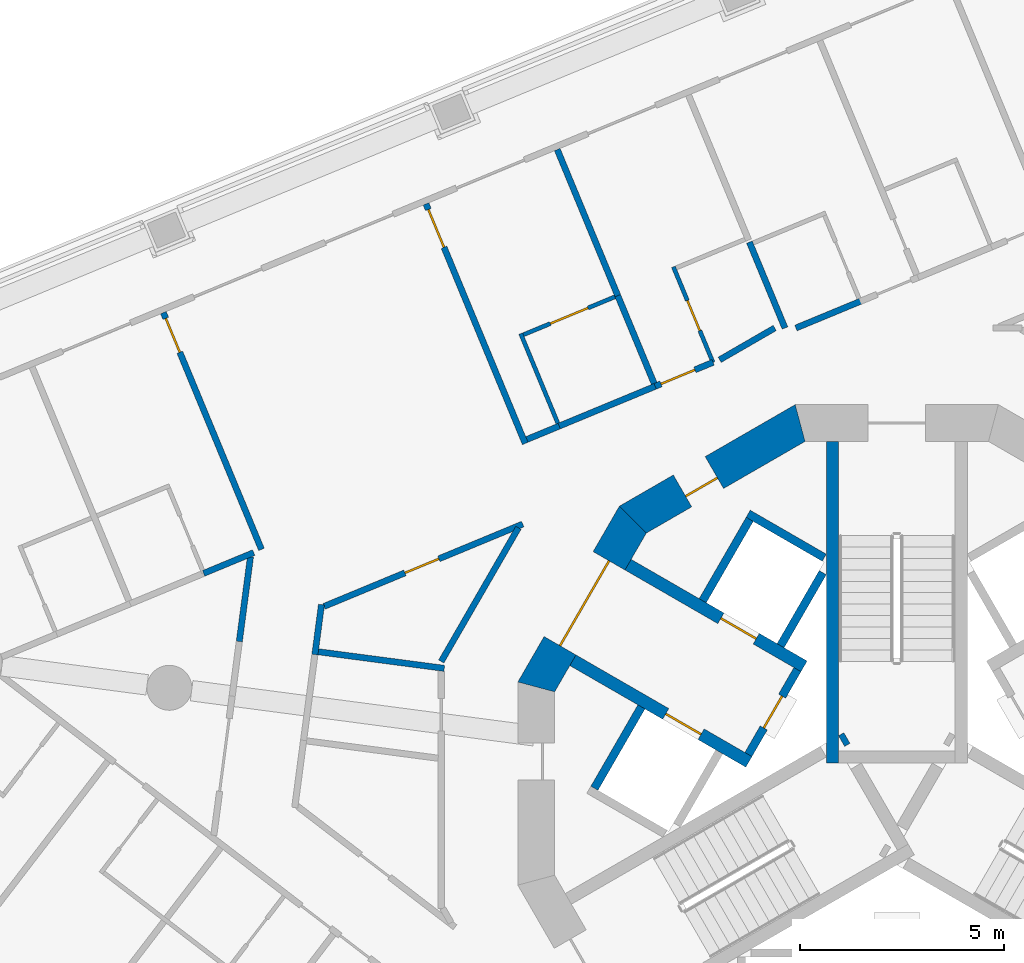
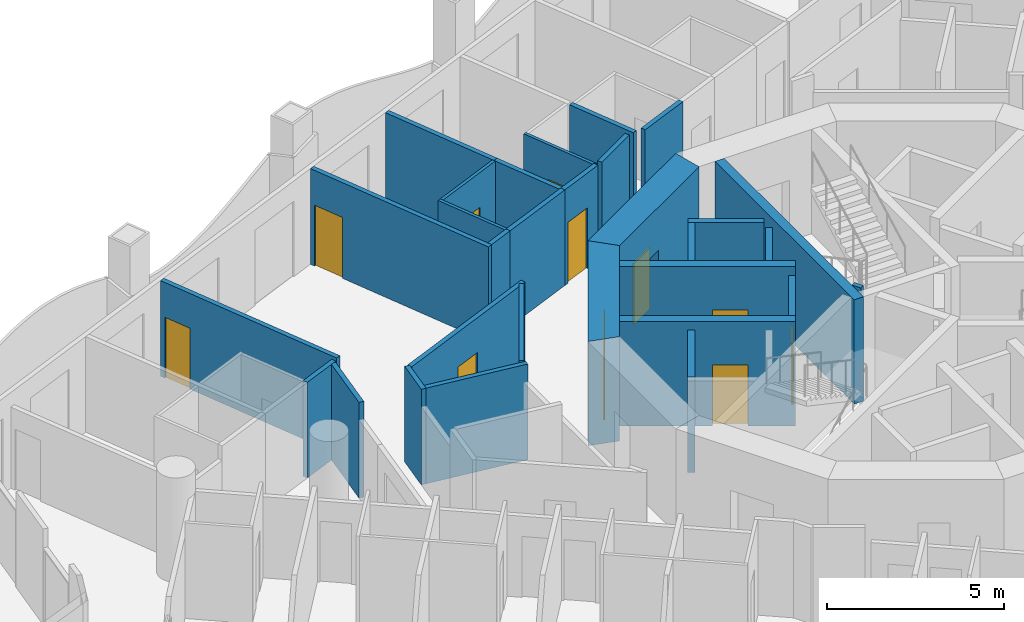
# One storey, part 7 of 17: 30 walls, 11 doors, 11 openings.
"""IFC4 building model written with IfcOpenShell, lengths in metres."""

from ifc_helpers import new_model, si_unit, direction, frame, frame_2d, origin, place, context, subcontext, project, spatial, polyline, rectangle, outline, extrude, material, layer, layer_set, type_object, element, fill, save


model = new_model("IFC4")

# Units and contexts
model_context = context("Model", 3, precision=1e-05, world=origin(), true_north=direction((0.0, 1.0)))
body_context = subcontext(model_context, "Body", "Model", "MODEL_VIEW")
ifc_project = project(units=[si_unit("LENGTHUNIT", "METRE"), si_unit("AREAUNIT", "SQUARE_METRE"), si_unit("VOLUMEUNIT", "CUBIC_METRE"), si_unit("PLANEANGLEUNIT", "RADIAN"), si_unit("MASSUNIT", "GRAM", prefix="KILO")], contexts=[model_context])

# Site, building, storey
site_placement = place(None, origin())
site = spatial("IfcSite", under=ifc_project, at=site_placement, CompositionType="ELEMENT")
building_placement = place(site_placement, origin())
building = spatial("IfcBuilding", under=site, at=building_placement, Name="Trine Commons Tower", CompositionType="ELEMENT")
storey_placement = place(building_placement, frame((0.0, 0.0, 135.0)))
storey = spatial("IfcBuildingStorey", under=building, at=storey_placement, Name="L34", CompositionType="ELEMENT", Elevation=135.0)

# Wall, opening, door
ifc_material_1 = material(Name="Fire-rated gypsum shaft wall system")
ifc_layer_1 = layer(ifc_material_1, 0.199951171875)
ifc_layer_set_1 = layer_set([ifc_layer_1], Name="Fire-rated gypsum shaft wall system")
wall_type_1 = type_object("IfcWallType", Name="Lobby end wall 200 mm, EI 120", PredefinedType="PARTITIONING", material=ifc_layer_set_1)
wall_1_placement = place(storey_placement, frame((77.569091796875, 65.2890625, 0.0), z_axis=(0.0, 0.0, 1.0), x_axis=(-0.50012165622, -0.865955154139, 0.0)))
wall_1 = element("IfcWall", 1, at=wall_1_placement, inside=storey, type_object=wall_type_1, Name="Lobby end wall L34", PredefinedType="PARTITIONING", context=body_context, shape_type="SweptSolid", body=[
    extrude(rectangle(XDim=2.39990234375, YDim=0.199951171875, at=frame_2d((1.199951171875, 0.0))), origin(), (0.0, 0.0, 1.0), 3.300048828125),
])
opening_1_placement = place(wall_1_placement, frame((0.749755859375, 0.0, 0.0)))
opening_1 = element("IfcOpeningElement", 2, at=opening_1_placement, cuts=wall_1, Name="Opening K09.07", PredefinedType="OPENING", context=body_context, shape_type="SweptSolid", body=[
    extrude(rectangle(XDim=0.89990234375, YDim=2.10009765625, at=frame_2d((0.449951171875, 1.050048828125))), frame((0.0, 0.10986328125, 0.0), z_axis=(0.0, -1.0, 0.0), x_axis=(1.0, 0.0, 0.0)), (0.0, 0.0, 1.0), 0.219970703125),
])
ifc_material_2 = material(Name="Steel door leaf, fire-rated", Category="steel")
door_type_1 = type_object("IfcDoorType", Name="Riser access door, single leaf 900 x 2100, FD60", OperationType="SINGLE_SWING_LEFT", PredefinedType="DOOR", material=ifc_material_2)
door_1_placement = place(opening_1_placement, frame((0.89990234375, 0.0, 0.0), z_axis=(0.0, 0.0, 1.0), x_axis=(-1.0, 0.0, 0.0)))
door_1 = element("IfcDoor", 3, at=door_1_placement, inside=storey, type_object=door_type_1, Name="Riser door, Mechanical riser L34", OperationType="SINGLE_SWING_RIGHT", OverallHeight=2.10009765625, OverallWidth=0.89990234375, PredefinedType="DOOR", context=body_context, shape_type="SweptSolid", body=[
    extrude(rectangle(XDim=0.89990234375, YDim=2.10009765625, at=frame_2d((0.449951171875, 1.050048828125))), frame((0.0, 0.02490234375, 0.0), z_axis=(0.0, -1.0, 0.0), x_axis=(1.0, 0.0, 0.0)), (0.0, 0.0, 1.0), 0.050048828125),
])
fill(opening_1, door_1)

ifc_material_3 = material(Name="Concrete C70/85", Category="concrete")
ifc_layer_2 = layer(ifc_material_3, 0.300048828125)
ifc_layer_set_2 = layer_set([ifc_layer_2], Name="Concrete C70/85")
wall_type_2 = type_object("IfcWallType", Name="RC shear wall 300 mm, C70/85", PredefinedType="SHEAR", material=ifc_layer_set_2)
wall_2_placement = place(storey_placement, frame((76.381103515625, 63.031005859375, 0.0), z_axis=(0.0, 0.0, 1.0), x_axis=(-0.866080953719, 0.499903772346, 0.0)))
wall_2 = element("IfcWall", 4, at=wall_2_placement, inside=storey, type_object=wall_type_2, Name="Core cross wall SWB-01 L34", PredefinedType="SHEAR", context=body_context, shape_type="SweptSolid", body=[
    extrude(rectangle(XDim=4.97314453125, YDim=0.300048828125, at=frame_2d((2.486572265625, 0.0))), origin(), (0.0, 0.0, 1.0), 3.60009765625),
])
opening_2_placement = place(wall_2_placement, frame((1.350341796875, 0.0, 0.0)))
opening_2 = element("IfcOpeningElement", 5, at=opening_2_placement, cuts=wall_2, Name="Opening LD7", PredefinedType="OPENING", context=body_context, shape_type="SweptSolid", body=[
    extrude(rectangle(XDim=1.0, YDim=2.10009765625, at=frame_2d((0.5, 1.050048828125))), frame((0.0, 0.159912109375, 0.0), z_axis=(0.0, -1.0, 0.0), x_axis=(1.0, 0.0, 0.0)), (0.0, 0.0, 1.0), 0.320068359375),
])
ifc_material_4 = material(Name="Stainless steel sliding door leaves", Category="steel")
door_type_2 = type_object("IfcDoorType", Name="Lift landing door, centre-opening sliding 1000 x 2100, FD90", OperationType="DOUBLE_DOOR_SLIDING", PredefinedType="DOOR", material=ifc_material_4)
door_2_placement = place(opening_2_placement, origin())
door_2 = element("IfcDoor", 6, at=door_2_placement, inside=storey, type_object=door_type_2, Name="Lift landing door HR3 L34", OperationType="DOUBLE_DOOR_SLIDING", OverallHeight=2.10009765625, OverallWidth=1.0, PredefinedType="DOOR", context=body_context, shape_type="SweptSolid", body=[
    extrude(rectangle(XDim=1.0, YDim=2.10009765625, at=frame_2d((0.5, 1.050048828125))), frame((0.0, 0.02490234375, 0.0), z_axis=(0.0, -1.0, 0.0), x_axis=(1.0, 0.0, 0.0)), (0.0, 0.0, 1.0), 0.050048828125),
])
fill(opening_2, door_2)

wall_3_placement = place(storey_placement, frame((77.73095703125, 65.368896484375, 0.0), z_axis=(0.0, 0.0, 1.0), x_axis=(-0.865983655544, 0.500072303102, 0.0)))
wall_3 = element("IfcWall", 7, at=wall_3_placement, inside=storey, type_object=wall_type_2, Name="Core cross wall SWB-02 L34", PredefinedType="SHEAR", context=body_context, shape_type="SweptSolid", body=[
    extrude(rectangle(XDim=4.973388671875, YDim=0.300048828125, at=frame_2d((2.48681640625, 0.0))), origin(), (0.0, 0.0, 1.0), 3.60009765625),
])
opening_3_placement = place(wall_3_placement, frame((1.3505859375, 0.0, 0.0)))
opening_3 = element("IfcOpeningElement", 8, at=opening_3_placement, cuts=wall_3, Name="Opening LD8", PredefinedType="OPENING", context=body_context, shape_type="SweptSolid", body=[
    extrude(rectangle(XDim=1.0, YDim=2.10009765625, at=frame_2d((0.5, 1.050048828125))), frame((0.0, 0.159912109375, 0.0), z_axis=(0.0, -1.0, 0.0), x_axis=(1.0, 0.0, 0.0)), (0.0, 0.0, 1.0), 0.320068359375),
])
door_3_placement = place(opening_3_placement, origin())
door_3 = element("IfcDoor", 9, at=door_3_placement, inside=storey, type_object=door_type_2, Name="Lift landing door HR4 L34", OperationType="DOUBLE_DOOR_SLIDING", OverallHeight=2.10009765625, OverallWidth=1.0, PredefinedType="DOOR", context=body_context, shape_type="SweptSolid", body=[
    extrude(rectangle(XDim=1.0, YDim=2.10009765625, at=frame_2d((0.5, 1.050048828125))), frame((0.0, 0.02490234375, 0.0), z_axis=(0.0, -1.0, 0.0), x_axis=(1.0, 0.0, 0.0)), (0.0, 0.0, 1.0), 0.050048828125),
])
fill(opening_3, door_3)

# Walls
wall_4_placement = place(storey_placement, frame((78.425048828125, 63.0009765625, 0.0), z_axis=(0.0, 0.0, 1.0), x_axis=(0.0, 1.0, 0.0)))
element("IfcWall", 10, at=wall_4_placement, inside=storey, type_object=wall_type_2, Name="Core cross wall SWB-08 L34", PredefinedType="SHEAR", context=body_context, shape_type="SweptSolid", body=[
    extrude(rectangle(XDim=7.8720703125, YDim=0.300048828125, at=frame_2d((3.93603515625, 0.0))), origin(), (0.0, 0.0, 1.0), 3.60009765625),
])
wall_5_placement = place(storey_placement, frame((78.779052734375, 63.614013671875, 0.0), z_axis=(0.0, 0.0, 1.0), x_axis=(-0.867737973955, -0.497021939713, 0.0)))
element("IfcWall", 11, at=wall_5_placement, inside=storey, type_object=wall_type_2, Name="Core cross wall SWB-09 L34", PredefinedType="SHEAR", context=body_context, shape_type="SweptSolid", body=[
    extrude(rectangle(XDim=0.14892578125, YDim=0.300048828125, at=frame_2d((0.074462890625, 0.0))), origin(), (0.0, 0.0, 1.0), 3.60009765625),
])

# Wall, opening, door
ifc_layer_3 = layer(ifc_material_3, 0.89990234375)
ifc_layer_set_3 = layer_set([ifc_layer_3], Name="Concrete C70/85")
wall_type_3 = type_object("IfcWallType", Name="RC shear wall 900 mm, C70/85", PredefinedType="SHEAR", material=ifc_layer_set_3)
wall_6_placement = place(storey_placement, frame((77.740234375, 71.38330078125, 0.0), z_axis=(0.0, 0.0, 1.0), x_axis=(-0.866003133579, -0.500038571144, 0.0)))
wall_6 = element("IfcWall", 12, at=wall_6_placement, inside=storey, type_object=wall_type_3, Name="Core wall CWD-05 L34", PredefinedType="SHEAR", context=body_context, shape_type="SweptSolid", body=[
    extrude(outline(polyline([(0.0, -0.449951171875), (4.96923828125, -0.449951171875), (4.72802734375, 0.449951171875), (0.2412109375, 0.449951171875), (0.0, -0.449951171875)])), origin(), (0.0, 0.0, 1.0), 3.60009765625),
])
opening_4_placement = place(wall_6_placement, frame((2.544921875, 0.0, 0.0)))
opening_4 = element("IfcOpeningElement", 13, at=opening_4_placement, cuts=wall_6, Name="Opening K09.12", PredefinedType="OPENING", context=body_context, shape_type="SweptSolid", body=[
    extrude(rectangle(XDim=0.89990234375, YDim=2.10009765625, at=frame_2d((0.449951171875, 1.050048828125))), frame((0.0, 0.4599609375, 0.0), z_axis=(0.0, -1.0, 0.0), x_axis=(1.0, 0.0, 0.0)), (0.0, 0.0, 1.0), 0.919921875),
])
door_type_3 = type_object("IfcDoorType", Name="Core room door, single leaf 900 x 2100, FD30S", OperationType="SINGLE_SWING_LEFT", PredefinedType="DOOR", material=ifc_material_2)
door_4_placement = place(opening_4_placement, origin())
door_4 = element("IfcDoor", 14, at=door_4_placement, inside=storey, type_object=door_type_3, Name="Door to Pantry L34", OperationType="SINGLE_SWING_RIGHT", OverallHeight=2.10009765625, OverallWidth=0.89990234375, PredefinedType="DOOR", context=body_context, shape_type="SweptSolid", body=[
    extrude(rectangle(XDim=0.89990234375, YDim=2.10009765625, at=frame_2d((0.449951171875, 1.050048828125))), frame((0.0, 0.1748046875, 0.0), z_axis=(0.0, -1.0, 0.0), x_axis=(1.0, 0.0, 0.0)), (0.0, 0.0, 1.0), 0.050048828125),
])
fill(opening_4, door_4)

wall_7_placement = place(storey_placement, frame((73.6015625, 69.063232421875, 0.0), z_axis=(0.0, 0.0, 1.0), x_axis=(-0.500038571144, -0.866003133579, 0.0)))
wall_7 = element("IfcWall", 15, at=wall_7_placement, inside=storey, type_object=wall_type_3, Name="Core wall CWD-06 L34", PredefinedType="SHEAR", context=body_context, shape_type="SweptSolid", body=[
    extrude(outline(polyline([(0.0, -0.449951171875), (4.96923828125, -0.449951171875), (4.72802734375, 0.449951171875), (0.2412109375, 0.449951171875), (0.0, -0.449951171875)])), origin(), (0.0, 0.0, 1.0), 3.60009765625),
])
opening_5_placement = place(wall_7_placement, frame((1.28466796875, 0.0, 0.0)))
opening_5 = element("IfcOpeningElement", 16, at=opening_5_placement, cuts=wall_7, Name="Opening K09.06", PredefinedType="OPENING", context=body_context, shape_type="SweptSolid", body=[
    extrude(rectangle(XDim=2.39990234375, YDim=2.10009765625, at=frame_2d((1.199951171875, 1.050048828125))), frame((0.0, 0.4599609375, 0.0), z_axis=(0.0, -1.0, 0.0), x_axis=(1.0, 0.0, 0.0)), (0.0, 0.0, 1.0), 0.919921875),
])
ifc_material_5 = material(Name="Steel door leaves, fire-rated", Category="steel")
door_type_4 = type_object("IfcDoorType", Name="Lobby door, double leaf 2400 x 2100, FD60", OperationType="DOUBLE_DOOR_SINGLE_SWING", PredefinedType="DOOR", material=ifc_material_5)
door_5_placement = place(opening_5_placement, origin())
door_5 = element("IfcDoor", 17, at=door_5_placement, inside=storey, type_object=door_type_4, Name="Lobby door, Passenger lift lobby B L34", OperationType="DOUBLE_DOOR_SINGLE_SWING", OverallHeight=2.10009765625, OverallWidth=2.39990234375, PredefinedType="DOOR", context=body_context, shape_type="SweptSolid", body=[
    extrude(rectangle(XDim=2.39990234375, YDim=2.10009765625, at=frame_2d((1.199951171875, 1.050048828125))), frame((0.0, 0.02490234375, 0.0), z_axis=(0.0, -1.0, 0.0), x_axis=(1.0, 0.0, 0.0)), (0.0, 0.0, 1.0), 0.050048828125),
])
fill(opening_5, door_5)

# Walls
ifc_layer_4 = layer(ifc_material_1, 0.199951171875)
ifc_layer_set_4 = layer_set([ifc_layer_4], Name="Fire-rated gypsum shaft wall system")
wall_type_4 = type_object("IfcWallType", Name="Shaft wall 200 mm, EI 120", PredefinedType="PARTITIONING", material=ifc_layer_set_4)
for number, where, z_axis, x_axis, name in (
    (18, (73.7509765625, 64.3759765625, 0.0), (0.0, 0.0, 1.0), (-0.500136062276, -0.86594683394, 0.0), "Shaft wall L34"),
    (19, (75.2509765625, 66.97412109375, 0.0), (0.0, 0.0, 1.0), (0.500136062276, 0.86594683394, 0.0), "Shaft wall L34"),
):
    element("IfcWall", number, at=place(storey_placement, frame(where, z_axis=z_axis, x_axis=x_axis)), inside=storey, type_object=wall_type_4, Name=name, PredefinedType="PARTITIONING", context=body_context, shape_type="SweptSolid", body=[
        extrude(rectangle(XDim=2.299072265625, YDim=0.199951171875, at=frame_2d((1.1494140625, 0.0))), origin(), (0.0, 0.0, 1.0), 3.300048828125),
    ])
wall_8_placement = place(storey_placement, frame((77.156005859375, 65.8740234375, 0.0), z_axis=(0.0, 0.0, 1.0), x_axis=(0.499865770674, 0.866102887253, 0.0)))
element("IfcWall", 20, at=wall_8_placement, inside=storey, type_object=wall_type_4, Name="Shaft wall L34", PredefinedType="PARTITIONING", context=body_context, shape_type="SweptSolid", body=[
    extrude(rectangle(XDim=2.064453125, YDim=0.199951171875, at=frame_2d((1.0322265625, 0.0))), origin(), (0.0, 0.0, 1.0), 3.300048828125),
])
wall_9_placement = place(storey_placement, frame((78.22509765625, 68.028076171875, 0.0), z_axis=(0.0, 0.0, 1.0), x_axis=(-0.866130725101, 0.499817533742, 0.0)))
element("IfcWall", 21, at=wall_9_placement, inside=storey, type_object=wall_type_4, Name="Shaft wall L34", PredefinedType="PARTITIONING", context=body_context, shape_type="SweptSolid", body=[
    extrude(rectangle(XDim=2.148681640625, YDim=0.199951171875, at=frame_2d((1.07421875, 0.0))), origin(), (0.0, 0.0, 1.0), 3.300048828125),
])

# Wall, opening, door
ifc_material_6 = material(Name="Gypsum plasterboard on steel stud", Category="steel")
ifc_layer_5 = layer(ifc_material_6, 0.14990234375)
ifc_layer_set_5 = layer_set([ifc_layer_5], Name="Gypsum plasterboard on steel stud")
wall_type_5 = type_object("IfcWallType", Name="Unit and corridor wall 150 mm, EI 60", PredefinedType="PARTITIONING", material=ifc_layer_set_5)
wall_10_placement = place(storey_placement, frame((62.05322265625, 74.02294921875, 0.0), z_axis=(0.0, 0.0, 1.0), x_axis=(0.382756471404, -0.923849275368, 0.0)))
wall_10 = element("IfcWall", 22, at=wall_10_placement, inside=storey, type_object=wall_type_5, Name="Partition 017", PredefinedType="PARTITIONING", context=body_context, shape_type="SweptSolid", body=[
    extrude(rectangle(XDim=6.26953125, YDim=0.14990234375, at=frame_2d((3.134765625, 0.0))), origin(), (0.0, 0.0, 1.0), 3.300048828125),
])
opening_6_placement = place(wall_10_placement, frame((0.14990234375, 0.0, 0.0)))
opening_6 = element("IfcOpeningElement", 23, at=opening_6_placement, cuts=wall_10, Name="Opening D-4B06", PredefinedType="OPENING", context=body_context, shape_type="SweptSolid", body=[
    extrude(rectangle(XDim=0.89990234375, YDim=2.10009765625, at=frame_2d((0.449951171875, 1.050048828125))), frame((0.0, 0.0849609375, 0.0), z_axis=(0.0, -1.0, 0.0), x_axis=(1.0, 0.0, 0.0)), (0.0, 0.0, 1.0), 0.169921875),
])
ifc_material_7 = material(Name="Timber fire door set", Category="wood")
door_type_5 = type_object("IfcDoorType", Name="Bedroom door 900 x 2100, FD30S", OperationType="NOTDEFINED", PredefinedType="DOOR", material=ifc_material_7)
door_6_placement = place(opening_6_placement, frame((0.89990234375, 0.0, 0.0), z_axis=(0.0, 0.0, 1.0), x_axis=(-1.0, 0.0, 0.0)))
door_6 = element("IfcDoor", 24, at=door_6_placement, inside=storey, type_object=door_type_5, Name="Door D-4B06", OperationType="SINGLE_SWING_RIGHT", OverallHeight=2.10009765625, OverallWidth=0.89990234375, PredefinedType="DOOR", context=body_context, shape_type="SweptSolid", body=[
    extrude(rectangle(XDim=0.89990234375, YDim=2.10009765625, at=frame_2d((0.449951171875, 1.050048828125))), frame((0.0, 0.02490234375, 0.0), z_axis=(0.0, -1.0, 0.0), x_axis=(1.0, 0.0, 0.0)), (0.0, 0.0, 1.0), 0.050048828125),
])
fill(opening_6, door_6)

# Walls
wall_11_placement = place(storey_placement, frame((63.0380859375, 67.64404296875, 0.0), z_axis=(0.0, 0.0, 1.0), x_axis=(0.923848523473, 0.38275828623, 0.0)))
element("IfcWall", 25, at=wall_11_placement, inside=storey, type_object=wall_type_5, Name="Partition 021", PredefinedType="PARTITIONING", context=body_context, shape_type="SweptSolid", body=[
    extrude(rectangle(XDim=1.326171875, YDim=0.14990234375, at=frame_2d((0.6630859375, 0.0))), origin(), (0.0, 0.0, 1.0), 3.300048828125),
])
wall_12_placement = place(storey_placement, frame((63.910888671875, 65.97705078125, 0.0), z_axis=(0.0, 0.0, 1.0), x_axis=(0.13074768898, 0.9914156756, 0.0)))
element("IfcWall", 26, at=wall_12_placement, inside=storey, type_object=wall_type_5, Name="Partition 025", PredefinedType="PARTITIONING", context=body_context, shape_type="SweptSolid", body=[
    extrude(rectangle(XDim=2.08935546875, YDim=0.14990234375, at=frame_2d((1.044677734375, 0.0))), origin(), (0.0, 0.0, 1.0), 3.300048828125),
])
wall_13_placement = place(storey_placement, frame((65.76025390625, 65.656494140625, 0.0), z_axis=(0.0, 0.0, 1.0), x_axis=(0.131022785859, 0.99137935705, 0.0)))
element("IfcWall", 27, at=wall_13_placement, inside=storey, type_object=wall_type_5, Name="Partition 031", PredefinedType="PARTITIONING", context=body_context, shape_type="SweptSolid", body=[
    extrude(rectangle(XDim=1.233642578125, YDim=0.14990234375, at=frame_2d((0.61669921875, 0.0))), origin(), (0.0, 0.0, 1.0), 3.300048828125),
])
wall_14_placement = place(storey_placement, frame((65.845458984375, 65.72509765625, 0.0), z_axis=(0.0, 0.0, 1.0), x_axis=(0.991429142169, -0.130645535929, 0.0)))
element("IfcWall", 28, at=wall_14_placement, inside=storey, type_object=wall_type_5, Name="Partition 032", PredefinedType="PARTITIONING", context=body_context, shape_type="SweptSolid", body=[
    extrude(rectangle(XDim=3.107666015625, YDim=0.14990234375, at=frame_2d((1.5537109375, 0.0))), origin(), (0.0, 0.0, 1.0), 3.300048828125),
])

# Wall, opening, door
wall_15_placement = place(storey_placement, frame((65.981201171875, 66.833740234375, 0.0), z_axis=(0.0, 0.0, 1.0), x_axis=(0.923830903719, 0.382800811563, 0.0)))
wall_15 = element("IfcWall", 29, at=wall_15_placement, inside=storey, type_object=wall_type_5, Name="Partition 033", PredefinedType="PARTITIONING", context=body_context, shape_type="SweptSolid", body=[
    extrude(rectangle(XDim=5.26611328125, YDim=0.14990234375, at=frame_2d((2.633056640625, 0.0))), origin(), (0.0, 0.0, 1.0), 3.300048828125),
])
opening_7_placement = place(wall_15_placement, frame((2.1455078125, 0.0, 0.0)))
opening_7 = element("IfcOpeningElement", 30, at=opening_7_placement, cuts=wall_15, Name="Opening D-4B33", PredefinedType="OPENING", context=body_context, shape_type="SweptSolid", body=[
    extrude(rectangle(XDim=0.89990234375, YDim=2.10009765625, at=frame_2d((0.449951171875, 1.050048828125))), frame((0.0, 0.0849609375, 0.0), z_axis=(0.0, -1.0, 0.0), x_axis=(1.0, 0.0, 0.0)), (0.0, 0.0, 1.0), 0.169921875),
])
door_type_6 = type_object("IfcDoorType", Name="Service door 900 x 2100, FD30S", OperationType="NOTDEFINED", PredefinedType="DOOR", material=ifc_material_7)
door_7_placement = place(opening_7_placement, frame((0.89990234375, 0.0, 0.0), z_axis=(0.0, 0.0, 1.0), x_axis=(-1.0, 0.0, 0.0)))
door_7 = element("IfcDoor", 31, at=door_7_placement, inside=storey, type_object=door_type_6, Name="Door D-4B33", OperationType="SINGLE_SWING_RIGHT", OverallHeight=2.10009765625, OverallWidth=0.89990234375, PredefinedType="DOOR", context=body_context, shape_type="SweptSolid", body=[
    extrude(rectangle(XDim=0.89990234375, YDim=2.10009765625, at=frame_2d((0.449951171875, 1.050048828125))), frame((0.0, 0.02490234375, 0.0), z_axis=(0.0, -1.0, 0.0), x_axis=(1.0, 0.0, 0.0)), (0.0, 0.0, 1.0), 0.050048828125),
])
fill(opening_7, door_7)

wall_16_placement = place(storey_placement, frame((68.480224609375, 76.68505859375, 0.0), z_axis=(0.0, 0.0, 1.0), x_axis=(0.382450353434, -0.923976042524, 0.0)))
wall_16 = element("IfcWall", 32, at=wall_16_placement, inside=storey, type_object=wall_type_5, Name="Partition 037", PredefinedType="PARTITIONING", context=body_context, shape_type="SweptSolid", body=[
    extrude(rectangle(XDim=6.3447265625, YDim=0.14990234375, at=frame_2d((3.17236328125, 0.0))), origin(), (0.0, 0.0, 1.0), 3.300048828125),
])
opening_8_placement = place(wall_16_placement, frame((0.14990234375, 0.0, 0.0)))
opening_8 = element("IfcOpeningElement", 33, at=opening_8_placement, cuts=wall_16, Name="Opening D-4B07", PredefinedType="OPENING", context=body_context, shape_type="SweptSolid", body=[
    extrude(rectangle(XDim=1.0, YDim=2.10009765625, at=frame_2d((0.5, 1.050048828125))), frame((0.0, 0.0849609375, 0.0), z_axis=(0.0, -1.0, 0.0), x_axis=(1.0, 0.0, 0.0)), (0.0, 0.0, 1.0), 0.169921875),
])
door_type_7 = type_object("IfcDoorType", Name="Bedroom door 1000 x 2100, FD30S", OperationType="NOTDEFINED", PredefinedType="DOOR", material=ifc_material_7)
door_8_placement = place(opening_8_placement, origin())
door_8 = element("IfcDoor", 34, at=door_8_placement, inside=storey, type_object=door_type_7, Name="Door D-4B07", OperationType="SINGLE_SWING_LEFT", OverallHeight=2.10009765625, OverallWidth=1.0, PredefinedType="DOOR", context=body_context, shape_type="SweptSolid", body=[
    extrude(rectangle(XDim=1.0, YDim=2.10009765625, at=frame_2d((0.5, 1.050048828125))), frame((0.0, 0.02490234375, 0.0), z_axis=(0.0, -1.0, 0.0), x_axis=(1.0, 0.0, 0.0)), (0.0, 0.0, 1.0), 0.050048828125),
])
fill(opening_8, door_8)

# Walls
wall_17_placement = place(storey_placement, frame((68.85205078125, 65.487060546875, 0.0), z_axis=(0.0, 0.0, 1.0), x_axis=(0.500065504582, 0.865987581393, 0.0)))
element("IfcWall", 35, at=wall_17_placement, inside=storey, type_object=wall_type_5, Name="Partition 040", PredefinedType="PARTITIONING", context=body_context, shape_type="SweptSolid", body=[
    extrude(rectangle(XDim=3.7783203125, YDim=0.14990234375, at=frame_2d((1.88916015625, 0.0))), origin(), (0.0, 0.0, 1.0), 3.300048828125),
])
wall_18_placement = place(storey_placement, frame((70.947265625, 70.920654296875, 0.0), z_axis=(0.0, 0.0, 1.0), x_axis=(0.924110536197, 0.382125263349, 0.0)))
element("IfcWall", 36, at=wall_18_placement, inside=storey, type_object=wall_type_5, Name="Partition 046", PredefinedType="PARTITIONING", context=body_context, shape_type="SweptSolid", body=[
    extrude(rectangle(XDim=0.856689453125, YDim=0.14990234375, at=frame_2d((0.42822265625, 0.0))), origin(), (0.0, 0.0, 1.0), 3.300048828125),
])
wall_19_placement = place(storey_placement, frame((71.69140625, 78.014892578125, 0.0), z_axis=(0.0, 0.0, 1.0), x_axis=(0.382665703831, -0.923886875711, 0.0)))
element("IfcWall", 37, at=wall_19_placement, inside=storey, type_object=wall_type_5, Name="Partition 048", PredefinedType="PARTITIONING", context=body_context, shape_type="SweptSolid", body=[
    extrude(rectangle(XDim=3.869384765625, YDim=0.14990234375, at=frame_2d((1.9345703125, 0.0))), origin(), (0.0, 0.0, 1.0), 3.300048828125),
])
wall_20_placement = place(storey_placement, frame((71.684814453125, 71.225830078125, 0.0), z_axis=(0.0, 0.0, 1.0), x_axis=(0.923883380163, 0.382674143181, 0.0)))
element("IfcWall", 38, at=wall_20_placement, inside=storey, type_object=wall_type_5, Name="Partition 049", PredefinedType="PARTITIONING", context=body_context, shape_type="SweptSolid", body=[
    extrude(rectangle(XDim=2.608642578125, YDim=0.14990234375, at=frame_2d((1.30419921875, 0.0))), origin(), (0.0, 0.0, 1.0), 3.300048828125),
])
wall_21_placement = place(storey_placement, frame((73.172119140625, 74.43994140625, 0.0), z_axis=(0.0, 0.0, 1.0), x_axis=(0.382877328836, -0.923799194123, 0.0)))
element("IfcWall", 39, at=wall_21_placement, inside=storey, type_object=wall_type_5, Name="Partition 051", PredefinedType="PARTITIONING", context=body_context, shape_type="SweptSolid", body=[
    extrude(rectangle(XDim=2.324951171875, YDim=0.14990234375, at=frame_2d((1.16259765625, 0.0))), origin(), (0.0, 0.0, 1.0), 3.300048828125),
])

# Wall, opening, door
wall_22_placement = place(storey_placement, frame((74.087890625, 72.220947265625, 0.0), z_axis=(0.0, 0.0, 1.0), x_axis=(0.923720156635, 0.383067973375, 0.0)))
wall_22 = element("IfcWall", 40, at=wall_22_placement, inside=storey, type_object=wall_type_5, Name="Partition 054", PredefinedType="PARTITIONING", context=body_context, shape_type="SweptSolid", body=[
    extrude(rectangle(XDim=1.535400390625, YDim=0.14990234375, at=frame_2d((0.767578125, 0.0))), origin(), (0.0, 0.0, 1.0), 3.300048828125),
])
opening_9_placement = place(wall_22_placement, frame((0.153564453125, 0.0, 0.0)))
opening_9 = element("IfcOpeningElement", 41, at=opening_9_placement, cuts=wall_22, Name="Opening D-4B08", PredefinedType="OPENING", context=body_context, shape_type="SweptSolid", body=[
    extrude(rectangle(XDim=0.89990234375, YDim=2.10009765625, at=frame_2d((0.449951171875, 1.050048828125))), frame((0.0, 0.0849609375, 0.0), z_axis=(0.0, -1.0, 0.0), x_axis=(1.0, 0.0, 0.0)), (0.0, 0.0, 1.0), 0.169921875),
])
door_9_placement = place(opening_9_placement, origin())
door_9 = element("IfcDoor", 42, at=door_9_placement, inside=storey, type_object=door_type_5, Name="Door D-4B08", OperationType="SINGLE_SWING_LEFT", OverallHeight=2.10009765625, OverallWidth=0.89990234375, PredefinedType="DOOR", context=body_context, shape_type="SweptSolid", body=[
    extrude(rectangle(XDim=0.89990234375, YDim=2.10009765625, at=frame_2d((0.449951171875, 1.050048828125))), frame((0.0, 0.02490234375, 0.0), z_axis=(0.0, -1.0, 0.0), x_axis=(1.0, 0.0, 0.0)), (0.0, 0.0, 1.0), 0.050048828125),
])
fill(opening_9, door_9)

# Walls
wall_23_placement = place(storey_placement, frame((75.666015625, 72.8701171875, 0.0), z_axis=(0.0, 0.0, 1.0), x_axis=(0.865973841288, 0.500089298231, 0.0)))
element("IfcWall", 43, at=wall_23_placement, inside=storey, type_object=wall_type_5, Name="Partition 060", PredefinedType="PARTITIONING", context=body_context, shape_type="SweptSolid", body=[
    extrude(rectangle(XDim=1.555419921875, YDim=0.14990234375, at=frame_2d((0.77783203125, 0.0))), origin(), (0.0, 0.0, 1.0), 3.300048828125),
])
wall_24_placement = place(storey_placement, frame((76.393798828125, 75.750244140625, 0.0), z_axis=(0.0, 0.0, 1.0), x_axis=(0.382427611574, -0.923985455462, 0.0)))
element("IfcWall", 44, at=wall_24_placement, inside=storey, type_object=wall_type_5, Name="Partition 063", PredefinedType="PARTITIONING", context=body_context, shape_type="SweptSolid", body=[
    extrude(rectangle(XDim=2.275146484375, YDim=0.14990234375, at=frame_2d((1.1376953125, 0.0))), origin(), (0.0, 0.0, 1.0), 3.300048828125),
])
wall_25_placement = place(storey_placement, frame((77.531982421875, 73.64794921875, 0.0), z_axis=(0.0, 0.0, 1.0), x_axis=(0.923933858908, 0.3825522505, 0.0)))
element("IfcWall", 45, at=wall_25_placement, inside=storey, type_object=wall_type_5, Name="Partition 065", PredefinedType="PARTITIONING", context=body_context, shape_type="SweptSolid", body=[
    extrude(rectangle(XDim=1.7568359375, YDim=0.14990234375, at=frame_2d((0.87841796875, 0.0))), origin(), (0.0, 0.0, 1.0), 3.300048828125),
])
ifc_layer_6 = layer(ifc_material_6, 0.10009765625)
ifc_layer_set_6 = layer_set([ifc_layer_6], Name="Gypsum plasterboard on steel stud")
wall_type_6 = type_object("IfcWallType", Name="Unit partition 100 mm, no rating", PredefinedType="PARTITIONING", material=ifc_layer_set_6)
wall_26_placement = place(storey_placement, frame((70.796875, 73.51025390625, 0.0), z_axis=(0.0, 0.0, 1.0), x_axis=(0.382935858865, -0.923774933626, 0.0)))
element("IfcWall", 46, at=wall_26_placement, inside=storey, type_object=wall_type_6, Name="Partition 044", PredefinedType="PARTITIONING", context=body_context, shape_type="SweptSolid", body=[
    extrude(rectangle(XDim=2.374755859375, YDim=0.10009765625, at=frame_2d((1.1875, 0.0))), origin(), (0.0, 0.0, 1.0), 3.300048828125),
])

# Wall, opening, door
wall_27_placement = place(storey_placement, frame((70.8623046875, 73.483154296875, 0.0), z_axis=(0.0, 0.0, 1.0), x_axis=(0.923852403891, 0.382748920082, 0.0)))
wall_27 = element("IfcWall", 47, at=wall_27_placement, inside=storey, type_object=wall_type_6, Name="Partition 045", PredefinedType="PARTITIONING", context=body_context, shape_type="SweptSolid", body=[
    extrude(rectangle(XDim=2.425048828125, YDim=0.10009765625, at=frame_2d((1.21240234375, 0.0))), origin(), (0.0, 0.0, 1.0), 3.300048828125),
])
opening_10_placement = place(wall_27_placement, frame((0.712646484375, 0.0, 0.0)))
opening_10 = element("IfcOpeningElement", 48, at=opening_10_placement, cuts=wall_27, Name="Opening D-4B38", PredefinedType="OPENING", context=body_context, shape_type="SweptSolid", body=[
    extrude(rectangle(XDim=1.0, YDim=2.10009765625, at=frame_2d((0.5, 1.050048828125))), frame((0.0, 0.06005859375, 0.0), z_axis=(0.0, -1.0, 0.0), x_axis=(1.0, 0.0, 0.0)), (0.0, 0.0, 1.0), 0.1201171875),
])
ifc_material_8 = material(Name="Painted timber", Category="wood")
door_type_8 = type_object("IfcDoorType", Name="Internal door 1000 x 2100, NOT RATED", OperationType="NOTDEFINED", PredefinedType="DOOR", material=ifc_material_8)
door_10_placement = place(opening_10_placement, origin())
door_10 = element("IfcDoor", 49, at=door_10_placement, inside=storey, type_object=door_type_8, Name="Door D-4B38", OperationType="SINGLE_SWING_RIGHT", OverallHeight=2.10009765625, OverallWidth=1.0, PredefinedType="DOOR", context=body_context, shape_type="SweptSolid", body=[
    extrude(rectangle(XDim=1.0, YDim=2.10009765625, at=frame_2d((0.5, 1.050048828125))), frame((0.0, 0.02490234375, 0.0), z_axis=(0.0, -1.0, 0.0), x_axis=(1.0, 0.0, 0.0)), (0.0, 0.0, 1.0), 0.050048828125),
])
fill(opening_10, door_10)

wall_28_placement = place(storey_placement, frame((74.533935546875, 75.145263671875, 0.0), z_axis=(0.0, 0.0, 1.0), x_axis=(0.382490955249, -0.923959235655, 0.0)))
wall_28 = element("IfcWall", 50, at=wall_28_placement, inside=storey, type_object=wall_type_6, Name="Partition 057", PredefinedType="PARTITIONING", context=body_context, shape_type="SweptSolid", body=[
    extrude(rectangle(XDim=2.53076171875, YDim=0.10009765625, at=frame_2d((1.265380859375, 0.0))), origin(), (0.0, 0.0, 1.0), 3.300048828125),
])
opening_11_placement = place(wall_28_placement, frame((0.890380859375, 0.0, 0.0)))
opening_11 = element("IfcOpeningElement", 51, at=opening_11_placement, cuts=wall_28, Name="Opening D-4B39", PredefinedType="OPENING", context=body_context, shape_type="SweptSolid", body=[
    extrude(rectangle(XDim=0.800048828125, YDim=2.10009765625, at=frame_2d((0.39990234375, 1.050048828125))), frame((0.0, 0.06005859375, 0.0), z_axis=(0.0, -1.0, 0.0), x_axis=(1.0, 0.0, 0.0)), (0.0, 0.0, 1.0), 0.1201171875),
])
door_type_9 = type_object("IfcDoorType", Name="Internal door 800 x 2100, NOT RATED", OperationType="NOTDEFINED", PredefinedType="DOOR", material=ifc_material_8)
door_11_placement = place(opening_11_placement, frame((0.800048828125, 0.0, 0.0), z_axis=(0.0, 0.0, 1.0), x_axis=(-1.0, 0.0, 0.0)))
door_11 = element("IfcDoor", 52, at=door_11_placement, inside=storey, type_object=door_type_9, Name="Door D-4B39", OperationType="SINGLE_SWING_LEFT", OverallHeight=2.10009765625, OverallWidth=0.800048828125, PredefinedType="DOOR", context=body_context, shape_type="SweptSolid", body=[
    extrude(rectangle(XDim=0.800048828125, YDim=2.10009765625, at=frame_2d((0.39990234375, 1.050048828125))), frame((0.0, 0.02490234375, 0.0), z_axis=(0.0, -1.0, 0.0), x_axis=(1.0, 0.0, 0.0)), (0.0, 0.0, 1.0), 0.050048828125),
])
fill(opening_11, door_11)

save(model, "model.ifc")
